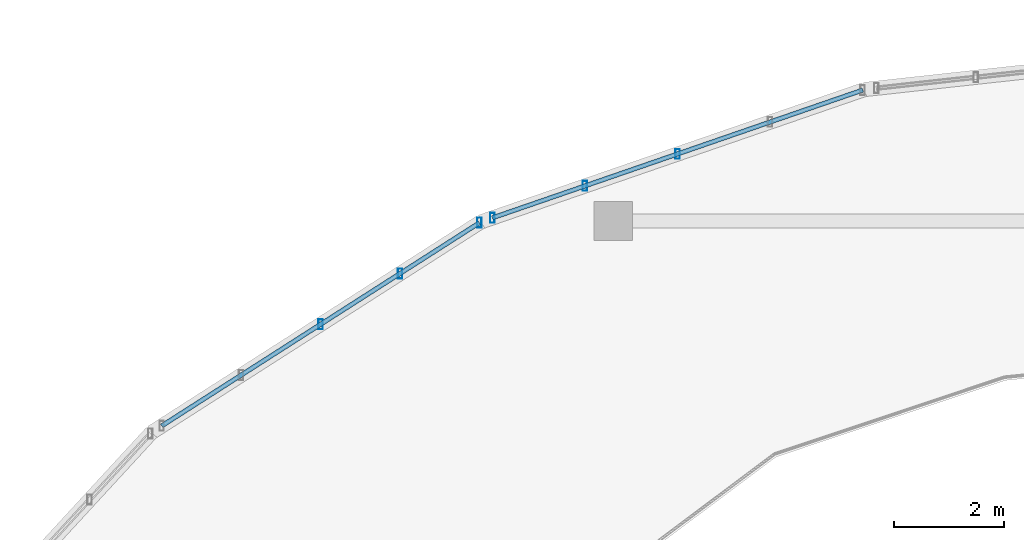
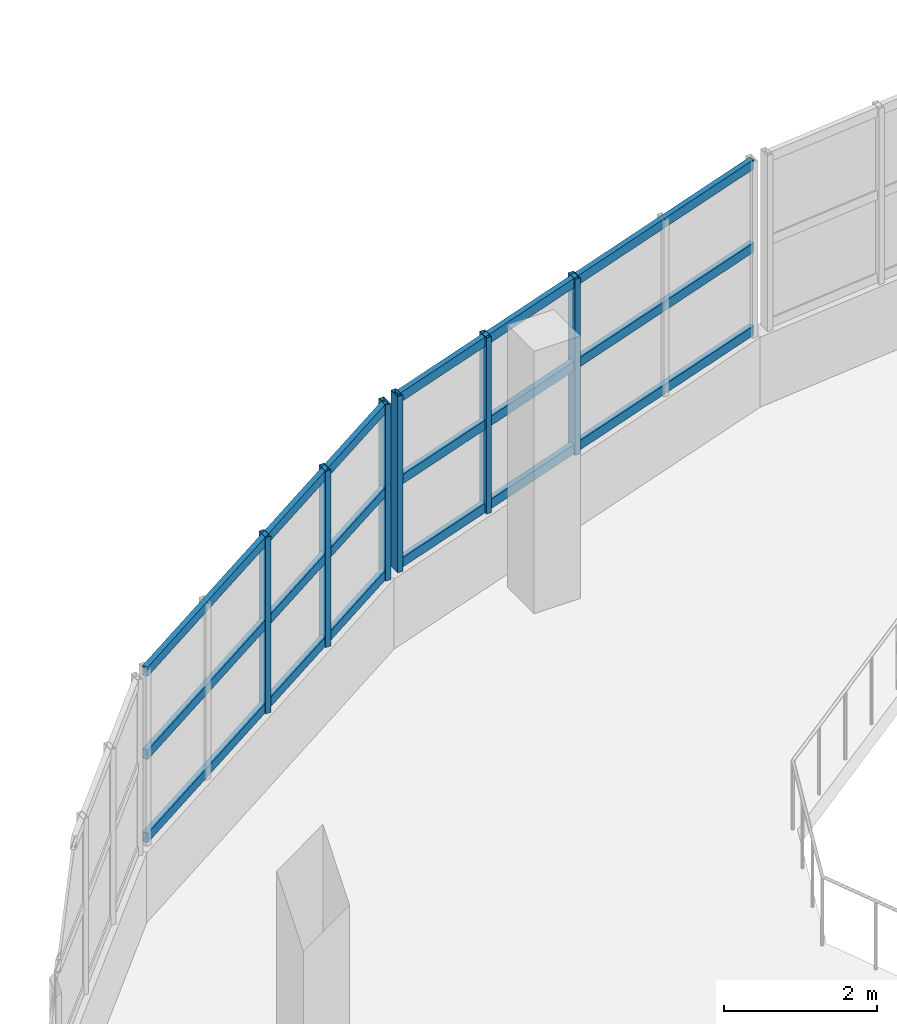
# One storey, part 14 of 52: 12 members, 2 elements without a shape of their own.
"""IFC4 building model written with IfcOpenShell, lengths in metres."""

from ifc_helpers import new_model, si_unit, direction, frame, origin, origin_2d, place, context, subcontext, project, spatial, hollow_rectangle, extrude, material, material_profile, profile_set, type_object, element, aggregate, save


model = new_model("IFC4")

# Units and contexts
model_context = context("Model", 3, precision=1e-05, world=origin(), true_north=direction((0.0, 1.0)))
body_context = subcontext(model_context, "Body", "Model", "MODEL_VIEW")
ifc_project = project(units=[si_unit("LENGTHUNIT", "METRE"), si_unit("AREAUNIT", "SQUARE_METRE"), si_unit("VOLUMEUNIT", "CUBIC_METRE"), si_unit("PLANEANGLEUNIT", "RADIAN"), si_unit("MASSUNIT", "GRAM", prefix="KILO")], contexts=[model_context])

# Site, building, storey
site_placement = place(None, origin())
site = spatial("IfcSite", under=ifc_project, at=site_placement, CompositionType="ELEMENT")
building_placement = place(site_placement, origin())
building = spatial("IfcBuilding", under=site, at=building_placement, Name="Solvento Point Concert Hall", CompositionType="ELEMENT")
storey_placement = place(building_placement, frame((0.0, 0.0, 19.5)))
storey = spatial("IfcBuildingStorey", under=building, at=storey_placement, Name="L04", CompositionType="ELEMENT", Elevation=19.5)

# Curtain wall, members
ifc_material_1 = material(Name="Anodized Bronze Aluminium", Category="aluminium")
curtain_wall_type = type_object("IfcCurtainWallType", Name="CurtainWall_RingRibbon_L03_04", PredefinedType="USERDEFINED", material=ifc_material_1)
curtain_wall_1_placement = place(storey_placement, origin())
curtain_wall_1 = element("IfcCurtainWall", 1, at=curtain_wall_1_placement, inside=storey, type_object=curtain_wall_type, Name="Unitised curtain wall CW-31 UCW-L04-218", ObjectType="UNITISED CURTAIN WALL", PredefinedType="USERDEFINED")
ifc_material_2 = material(Name="Anodized Bronze Aluminium", Category="aluminium")
ifc_material_profile_1 = material_profile(ifc_material_2, hollow_rectangle(XDim=0.080078125, YDim=0.179931640625, WallThickness=0.00390625, at=origin_2d()), Name="CW-MUL-80X180")
ifc_profile_set_1 = profile_set([ifc_material_profile_1], Name="Anodized Bronze Aluminium")
member_type_1 = type_object("IfcMemberType", Name="Mullion_80x180", PredefinedType="MULLION", material=ifc_profile_set_1)
member_1_placement = place(storey_placement, frame((43.897705078125, 49.12890625, 1.1201171875), z_axis=(0.0, 0.0, 1.0), x_axis=(1.0, 0.0, 0.0)))
member_1 = element("IfcMember", 2, at=member_1_placement, type_object=member_type_1, Name="Curtain wall mullion ML-01", PredefinedType="MULLION", context=body_context, shape_type="SweptSolid", body=[
    extrude(hollow_rectangle(XDim=0.080078125, YDim=0.179931640625, WallThickness=0.00390625, at=origin_2d()), origin(), (0.0, 0.0, 1.0), 2.81982421875),
])
member_2_placement = place(storey_placement, frame((45.336181640625, 50.048583984375, 1.1201171875), z_axis=(0.0, 0.0, 1.0), x_axis=(1.0, 0.0, 0.0)))
member_2 = element("IfcMember", 3, at=member_2_placement, type_object=member_type_1, Name="Curtain wall mullion ML-01", PredefinedType="MULLION", context=body_context, shape_type="SweptSolid", body=[
    extrude(hollow_rectangle(XDim=0.080078125, YDim=0.179931640625, WallThickness=0.00390625, at=origin_2d()), origin(), (0.0, 0.0, 1.0), 2.81982421875),
])
member_3_placement = place(storey_placement, frame((46.774658203125, 50.968505859375, 1.1201171875), z_axis=(0.0, 0.0, 1.0), x_axis=(1.0, 0.0, 0.0)))
member_3 = element("IfcMember", 4, at=member_3_placement, type_object=member_type_1, Name="Curtain wall mullion ML-01", PredefinedType="MULLION", context=body_context, shape_type="SweptSolid", body=[
    extrude(hollow_rectangle(XDim=0.080078125, YDim=0.179931640625, WallThickness=0.00390625, at=origin_2d()), origin(), (0.0, 0.0, 1.0), 2.81982421875),
])

curtain_wall_2_placement = place(storey_placement, origin())
curtain_wall_2 = element("IfcCurtainWall", 5, at=curtain_wall_2_placement, inside=storey, type_object=curtain_wall_type, Name="Unitised curtain wall CW-31 UCW-L04-219", ObjectType="UNITISED CURTAIN WALL", PredefinedType="USERDEFINED")
member_4_placement = place(storey_placement, frame((47.008056640625, 51.056396484375, 1.1201171875), z_axis=(0.0, 0.0, 1.0), x_axis=(1.0, 0.0, 0.0)))
member_4 = element("IfcMember", 6, at=member_4_placement, type_object=member_type_1, Name="Curtain wall mullion ML-01", PredefinedType="MULLION", context=body_context, shape_type="SweptSolid", body=[
    extrude(hollow_rectangle(XDim=0.080078125, YDim=0.179931640625, WallThickness=0.00390625, at=origin_2d()), origin(), (0.0, 0.0, 1.0), 2.81982421875),
])
member_5_placement = place(storey_placement, frame((48.685302734375, 51.635498046875, 1.1201171875), z_axis=(0.0, 0.0, 1.0), x_axis=(1.0, 0.0, 0.0)))
member_5 = element("IfcMember", 7, at=member_5_placement, type_object=member_type_1, Name="Curtain wall mullion ML-01", PredefinedType="MULLION", context=body_context, shape_type="SweptSolid", body=[
    extrude(hollow_rectangle(XDim=0.080078125, YDim=0.179931640625, WallThickness=0.00390625, at=origin_2d()), origin(), (0.0, 0.0, 1.0), 2.81982421875),
])
member_6_placement = place(storey_placement, frame((50.36279296875, 52.21435546875, 1.1201171875), z_axis=(0.0, 0.0, 1.0), x_axis=(1.0, 0.0, 0.0)))
member_6 = element("IfcMember", 8, at=member_6_placement, type_object=member_type_1, Name="Curtain wall mullion ML-01", PredefinedType="MULLION", context=body_context, shape_type="SweptSolid", body=[
    extrude(hollow_rectangle(XDim=0.080078125, YDim=0.179931640625, WallThickness=0.00390625, at=origin_2d()), origin(), (0.0, 0.0, 1.0), 2.81982421875),
])

# Member
ifc_material_3 = material(Name="Anodized Bronze Aluminium", Category="aluminium")
ifc_material_profile_2 = material_profile(ifc_material_3, hollow_rectangle(XDim=0.080078125, YDim=0.14990234375, WallThickness=0.00390625, at=origin_2d()), Name="CW-TRN-80X150")
ifc_profile_set_2 = profile_set([ifc_material_profile_2], Name="Anodized Bronze Aluminium")
member_type_2 = type_object("IfcMemberType", Name="Transom_80x150", PredefinedType="USERDEFINED", material=ifc_profile_set_2)
member_7_placement = place(storey_placement, frame((41.0205078125, 47.2890625, 1.199951171875), z_axis=(0.84248491473, 0.53871993508, 0.0), x_axis=(-0.53871993508, 0.84248491473, 0.0)))
member_7 = element("IfcMember", 9, at=member_7_placement, type_object=member_type_2, Name="Curtain wall transom TR-01", ObjectType="TRANSOM", PredefinedType="USERDEFINED", context=body_context, shape_type="SweptSolid", body=[
    extrude(hollow_rectangle(XDim=0.080078125, YDim=0.14990234375, WallThickness=0.00390625, at=origin_2d()), origin(), (0.0, 0.0, 1.0), 6.830078125),
])

member_8_placement = place(storey_placement, frame((41.0205078125, 47.2890625, 2.530029296875), z_axis=(0.84248491473, 0.53871993508, 0.0), x_axis=(-0.53871993508, 0.84248491473, 0.0)))
member_8 = element("IfcMember", 10, at=member_8_placement, type_object=member_type_2, Name="Curtain wall transom TR-01", ObjectType="TRANSOM", PredefinedType="USERDEFINED", context=body_context, shape_type="SweptSolid", body=[
    extrude(hollow_rectangle(XDim=0.080078125, YDim=0.14990234375, WallThickness=0.00390625, at=origin_2d()), origin(), (0.0, 0.0, 1.0), 6.830078125),
])

member_9_placement = place(storey_placement, frame((41.0205078125, 47.2890625, 3.860107421875), z_axis=(0.84248491473, 0.53871993508, 0.0), x_axis=(-0.53871993508, 0.84248491473, 0.0)))
member_9 = element("IfcMember", 11, at=member_9_placement, type_object=member_type_2, Name="Curtain wall transom TR-01", ObjectType="TRANSOM", PredefinedType="USERDEFINED", context=body_context, shape_type="SweptSolid", body=[
    extrude(hollow_rectangle(XDim=0.080078125, YDim=0.14990234375, WallThickness=0.00390625, at=origin_2d()), origin(), (0.0, 0.0, 1.0), 6.830078125),
])

aggregate(curtain_wall_1, [member_1, member_2, member_3, member_7, member_8, member_9])

member_10_placement = place(storey_placement, frame((47.008056640625, 51.056396484375, 1.199951171875), z_axis=(0.945272782673, 0.32628111551, 0.0), x_axis=(-0.32628111551, 0.945272782673, 0.0)))
member_10 = element("IfcMember", 12, at=member_10_placement, type_object=member_type_2, Name="Curtain wall transom TR-01", ObjectType="TRANSOM", PredefinedType="USERDEFINED", context=body_context, shape_type="SweptSolid", body=[
    extrude(hollow_rectangle(XDim=0.080078125, YDim=0.14990234375, WallThickness=0.00390625, at=origin_2d()), origin(), (0.0, 0.0, 1.0), 7.097900390625),
])

member_11_placement = place(storey_placement, frame((47.008056640625, 51.056396484375, 2.530029296875), z_axis=(0.945272782673, 0.32628111551, 0.0), x_axis=(-0.32628111551, 0.945272782673, 0.0)))
member_11 = element("IfcMember", 13, at=member_11_placement, type_object=member_type_2, Name="Curtain wall transom TR-01", ObjectType="TRANSOM", PredefinedType="USERDEFINED", context=body_context, shape_type="SweptSolid", body=[
    extrude(hollow_rectangle(XDim=0.080078125, YDim=0.14990234375, WallThickness=0.00390625, at=origin_2d()), origin(), (0.0, 0.0, 1.0), 7.097900390625),
])

member_12_placement = place(storey_placement, frame((47.008056640625, 51.056396484375, 3.860107421875), z_axis=(0.945272782673, 0.32628111551, 0.0), x_axis=(-0.32628111551, 0.945272782673, 0.0)))
member_12 = element("IfcMember", 14, at=member_12_placement, type_object=member_type_2, Name="Curtain wall transom TR-01", ObjectType="TRANSOM", PredefinedType="USERDEFINED", context=body_context, shape_type="SweptSolid", body=[
    extrude(hollow_rectangle(XDim=0.080078125, YDim=0.14990234375, WallThickness=0.00390625, at=origin_2d()), origin(), (0.0, 0.0, 1.0), 7.097900390625),
])

aggregate(curtain_wall_2, [member_4, member_5, member_6, member_10, member_11, member_12])

save(model, "model.ifc")
